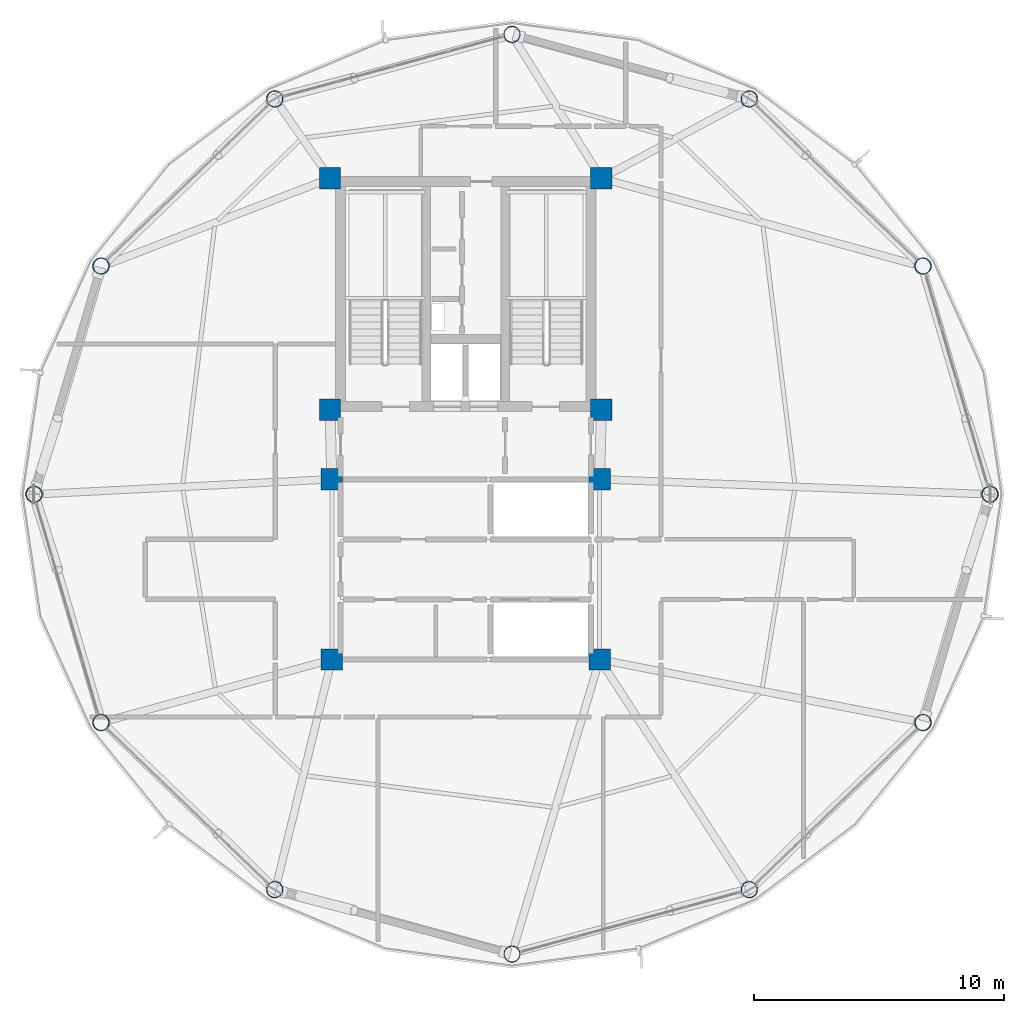
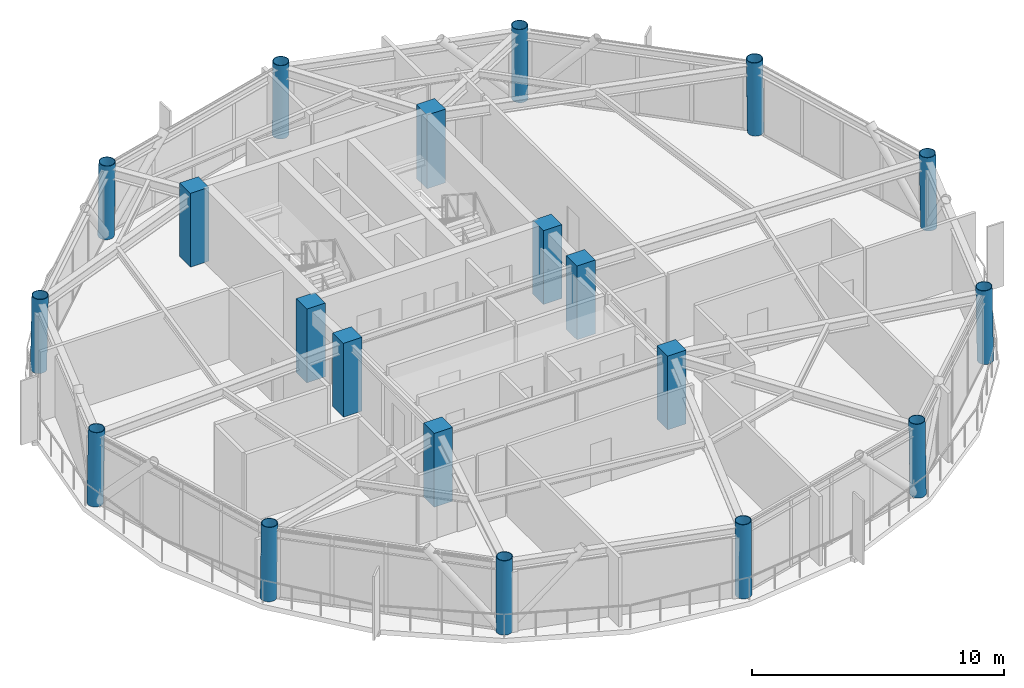
# One storey, part 1 of 28: 20 columns.
"""IFC4 building model written with IfcOpenShell, lengths in metres."""

from ifc_helpers import new_model, si_unit, direction, frame, origin, origin_2d, place, context, subcontext, project, spatial, rectangle, hollow_circle, extrude, material, material_profile, profile_set, type_object, element, save


model = new_model("IFC4")

# Units and contexts
model_context = context("Model", 3, precision=1e-05, world=origin(), true_north=direction((0.0, 1.0)))
body_context = subcontext(model_context, "Body", "Model", "MODEL_VIEW")
ifc_project = project(units=[si_unit("LENGTHUNIT", "METRE"), si_unit("AREAUNIT", "SQUARE_METRE"), si_unit("VOLUMEUNIT", "CUBIC_METRE"), si_unit("PLANEANGLEUNIT", "RADIAN"), si_unit("MASSUNIT", "GRAM", prefix="KILO")], contexts=[model_context])

# Site, building, storey
site_placement = place(None, origin())
site = spatial("IfcSite", under=ifc_project, at=site_placement, CompositionType="ELEMENT")
building_placement = place(site_placement, origin())
building = spatial("IfcBuilding", under=site, at=building_placement, Name="Varnakorn Sky Granary", CompositionType="ELEMENT")
storey_placement = place(building_placement, frame((0.0, 0.0, 214.800048828125)))
storey = spatial("IfcBuildingStorey", under=building, at=storey_placement, Name="L54", CompositionType="ELEMENT", Elevation=214.800048828125)

# Columns
ifc_material_1 = material(Name="Steel S460M", Category="steel")
ifc_material_profile_1 = material_profile(ifc_material_1, hollow_circle(Radius=0.330078125, WallThickness=0.02490234375, at=origin_2d()), Name="CHS 660x25")
ifc_profile_set_1 = profile_set([ifc_material_profile_1], Name="Steel S460M")
column_type_1 = type_object("IfcColumnType", Name="COL-DC-Z4", PredefinedType="COLUMN", material=ifc_profile_set_1)
column_1_placement = place(storey_placement, frame((23.955078125, 0.0, 0.0), z_axis=(-0.019050015053, 0.0, 0.999818531998), x_axis=(0.0, -1.0, 0.0)))
element("IfcColumn", 1, at=column_1_placement, inside=storey, type_object=column_type_1, Name="Drum Perimeter Column DC01 L54", PredefinedType="COLUMN", context=body_context, shape_type="SweptSolid", body=[
    extrude(hollow_circle(Radius=0.330078125, WallThickness=0.02490234375, at=origin_2d()), origin(), (0.0, 0.0, 1.0), 3.57568359375),
])
column_2_placement = place(storey_placement, frame((21.278564453125, 9.12109375, 0.0), z_axis=(-0.016524233398, -0.004643173021, 0.999852684477), x_axis=(0.270515159658, -0.962715715253, 0.0)))
element("IfcColumn", 2, at=column_2_placement, inside=storey, type_object=column_type_1, Name="Drum Perimeter Column DC02 L54", PredefinedType="COLUMN", context=body_context, shape_type="SweptSolid", body=[
    extrude(hollow_circle(Radius=0.330078125, WallThickness=0.02490234375, at=origin_2d()), origin(), (0.0, 0.0, 1.0), 3.575439453125),
])
for number, where, z_axis, x_axis, name in (
    (3, (14.3349609375, 15.798095703125, 0.0), (-0.009491859699, -0.00798955097, 0.999923032875), (0.643966239347, -0.765053908284, 0.0), "Drum Perimeter Column DC03 L54"),
    (4, (4.85009765625, 18.376953125, 0.0), (0.0, -0.009219030459, 0.999957503836), (1.0, 0.0, 0.0), "Drum Perimeter Column DC04 L54"),
    (5, (-4.635009765625, 15.798095703125, 0.0), (0.009491859699, -0.00798955097, 0.999923032875), (0.643966239347, 0.765053908284, 0.0), "Drum Perimeter Column DC05 L54"),
):
    element("IfcColumn", number, at=place(storey_placement, frame(where, z_axis=z_axis, x_axis=x_axis)), inside=storey, type_object=column_type_1, Name=name, PredefinedType="COLUMN", context=body_context, shape_type="SweptSolid", body=[
        extrude(hollow_circle(Radius=0.330078125, WallThickness=0.02490234375, at=origin_2d()), origin(), (0.0, 0.0, 1.0), 3.5751953125),
    ])
column_3_placement = place(storey_placement, frame((-11.57861328125, 9.12109375, 0.0), z_axis=(0.016524233398, -0.004643173021, 0.999852684477), x_axis=(0.270515159658, 0.962715715253, 0.0)))
element("IfcColumn", 6, at=column_3_placement, inside=storey, type_object=column_type_1, Name="Drum Perimeter Column DC06 L54", PredefinedType="COLUMN", context=body_context, shape_type="SweptSolid", body=[
    extrude(hollow_circle(Radius=0.330078125, WallThickness=0.02490234375, at=origin_2d()), origin(), (0.0, 0.0, 1.0), 3.575439453125),
])
column_4_placement = place(storey_placement, frame((-14.2548828125, 0.0, 0.0), z_axis=(0.018981760075, 0.0, 0.999819830162), x_axis=(0.0, 1.0, 0.0)))
element("IfcColumn", 7, at=column_4_placement, inside=storey, type_object=column_type_1, Name="Drum Perimeter Column DC07 L54", PredefinedType="COLUMN", context=body_context, shape_type="SweptSolid", body=[
    extrude(hollow_circle(Radius=0.330078125, WallThickness=0.02490234375, at=origin_2d()), origin(), (0.0, 0.0, 1.0), 3.57568359375),
])
column_5_placement = place(storey_placement, frame((-11.57861328125, -9.12109375, 0.0), z_axis=(0.016524233398, 0.004643173021, 0.999852684477), x_axis=(-0.270515159658, 0.962715715253, 0.0)))
element("IfcColumn", 8, at=column_5_placement, inside=storey, type_object=column_type_1, Name="Drum Perimeter Column DC08 L54", PredefinedType="COLUMN", context=body_context, shape_type="SweptSolid", body=[
    extrude(hollow_circle(Radius=0.330078125, WallThickness=0.02490234375, at=origin_2d()), origin(), (0.0, 0.0, 1.0), 3.575439453125),
])
for number, where, z_axis, x_axis, name in (
    (9, (-4.635009765625, -15.798095703125, 0.0), (0.009491859699, 0.00798955097, 0.999923032875), (-0.643966239347, 0.765053908284, 0.0), "Drum Perimeter Column DC09 L54"),
    (10, (4.85009765625, -18.376953125, 0.0), (0.0, 0.009219030459, 0.999957503836), (-1.0, 0.0, 0.0), "Drum Perimeter Column DC10 L54"),
    (11, (14.3349609375, -15.798095703125, 0.0), (-0.009491859699, 0.00798955097, 0.999923032875), (-0.643966239347, -0.765053908284, 0.0), "Drum Perimeter Column DC11 L54"),
):
    element("IfcColumn", number, at=place(storey_placement, frame(where, z_axis=z_axis, x_axis=x_axis)), inside=storey, type_object=column_type_1, Name=name, PredefinedType="COLUMN", context=body_context, shape_type="SweptSolid", body=[
        extrude(hollow_circle(Radius=0.330078125, WallThickness=0.02490234375, at=origin_2d()), origin(), (0.0, 0.0, 1.0), 3.5751953125),
    ])
column_6_placement = place(storey_placement, frame((21.278564453125, -9.12109375, 0.0), z_axis=(-0.016524233398, 0.004643173021, 0.999852684477), x_axis=(-0.270515159658, -0.962715715253, 0.0)))
element("IfcColumn", 12, at=column_6_placement, inside=storey, type_object=column_type_1, Name="Drum Perimeter Column DC12 L54", PredefinedType="COLUMN", context=body_context, shape_type="SweptSolid", body=[
    extrude(hollow_circle(Radius=0.330078125, WallThickness=0.02490234375, at=origin_2d()), origin(), (0.0, 0.0, 1.0), 3.575439453125),
])
ifc_material_2 = material(Name="Concrete C50/60", Category="concrete")
ifc_material_profile_2 = material_profile(ifc_material_2, rectangle(XDim=0.85009765625, YDim=0.85009765625, at=origin_2d()), Name="RC 850x850")
ifc_profile_set_2 = profile_set([ifc_material_profile_2], Name="Concrete C50/60")
column_type_2 = type_object("IfcColumnType", Name="COL-MC-Z4", PredefinedType="COLUMN", material=ifc_profile_set_2)
for number, where, z_axis, x_axis, name in (
    (13, (-2.419921875, 12.6201171875, 0.0), (0.0, 0.0, 1.0), (1.0, 0.0, 0.0), "Backbone Mega-Column MC1 L54"),
    (14, (8.419921875, 12.6201171875, 0.0), (0.0, 0.0, 1.0), (1.0, 0.0, 0.0), "Backbone Mega-Column MC2 L54"),
    (15, (-2.419921875, 3.3798828125, 0.0), (0.0, 0.0, 1.0), (1.0, 0.0, 0.0), "Backbone Mega-Column MC3 L54"),
    (16, (8.419921875, 3.3798828125, 0.0), (0.0, 0.0, 1.0), (1.0, 0.0, 0.0), "Backbone Mega-Column MC4 L54"),
    (17, (-2.35009765625, 0.60009765625, 0.0), (0.0, 0.0, 1.0), (1.0, 0.0, 0.0), "Backbone Mega-Column MC5 L54"),
    (18, (8.35009765625, 0.60009765625, 0.0), (0.0, 0.0, 1.0), (1.0, 0.0, 0.0), "Backbone Mega-Column MC6 L54"),
    (19, (-2.35009765625, -6.60009765625, 0.0), (0.0, 0.0, 1.0), (1.0, 0.0, 0.0), "Backbone Mega-Column MC7 L54"),
    (20, (8.35009765625, -6.60009765625, 0.0), (0.0, 0.0, 1.0), (1.0, 0.0, 0.0), "Backbone Mega-Column MC8 L54"),
):
    element("IfcColumn", number, at=place(storey_placement, frame(where, z_axis=z_axis, x_axis=x_axis)), inside=storey, type_object=column_type_2, Name=name, PredefinedType="COLUMN", context=body_context, shape_type="SweptSolid", body=[
        extrude(rectangle(XDim=0.85009765625, YDim=0.85009765625, at=origin_2d()), origin(), (0.0, 0.0, 1.0), 3.574951171875),
    ])

save(model, "model.ifc")
